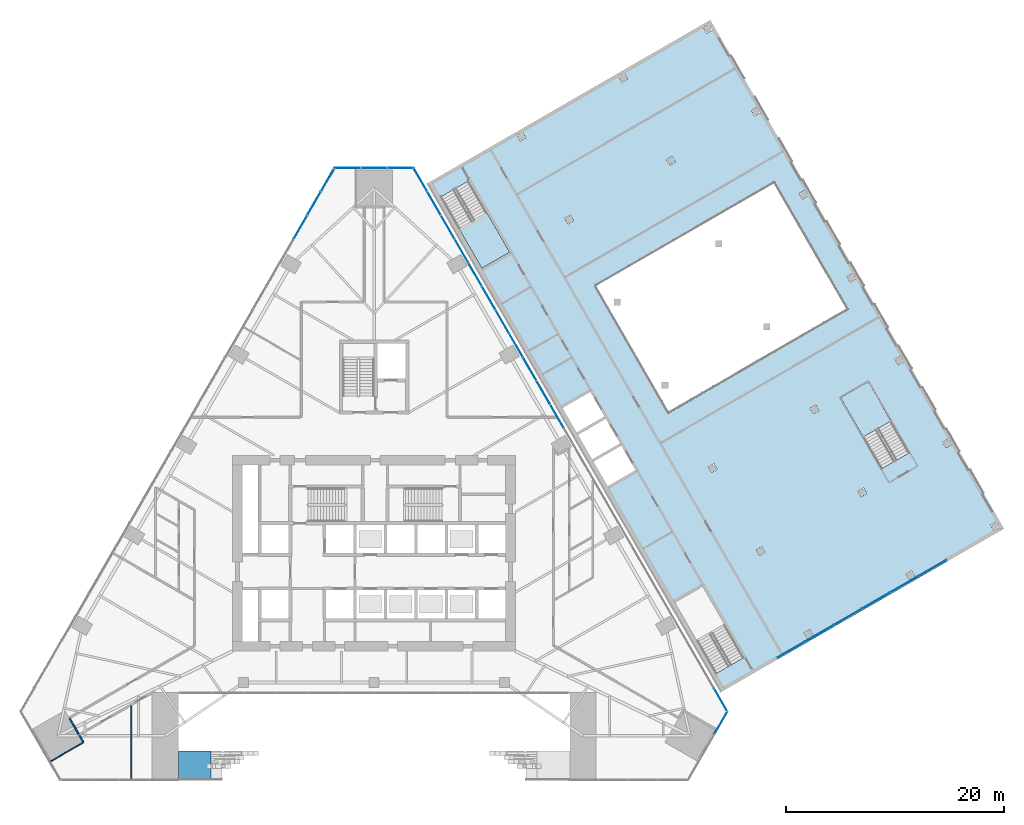
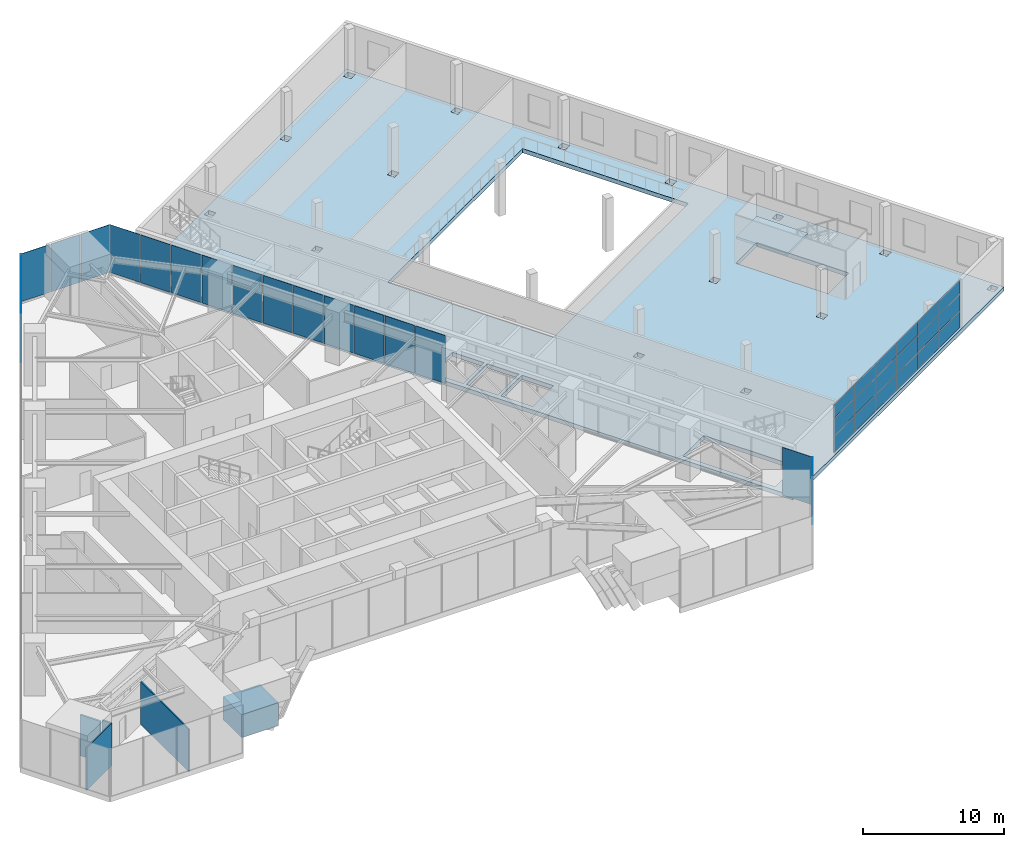
# One storey, part 16 of 30: 37 plates, 5 walls, 3 slabs, 7 elements without a shape of their own.
"""IFC4 building model written with IfcOpenShell, lengths in metres."""

from ifc_helpers import new_model, si_unit, direction, frame, frame_2d, origin, origin_2d, place, context, subcontext, project, spatial, polyline, rectangle, outline, extrude, material, layer, layer_set, type_object, element, aggregate, save


model = new_model("IFC4")

# Units and contexts
model_context = context("Model", 3, precision=1e-05, world=origin(), true_north=direction((0.0, 1.0)))
body_context = subcontext(model_context, "Body", "Model", "MODEL_VIEW")
ifc_project = project(units=[si_unit("LENGTHUNIT", "METRE"), si_unit("AREAUNIT", "SQUARE_METRE"), si_unit("VOLUMEUNIT", "CUBIC_METRE"), si_unit("PLANEANGLEUNIT", "RADIAN"), si_unit("MASSUNIT", "GRAM", prefix="KILO")], contexts=[model_context])

# Site, building, storey
site_placement = place(None, origin())
site = spatial("IfcSite", under=ifc_project, at=site_placement, CompositionType="ELEMENT")
building_placement = place(site_placement, origin())
building = spatial("IfcBuilding", under=site, at=building_placement, Name="Firuza Gate Tower and Library", CompositionType="ELEMENT")
storey_placement = place(building_placement, frame((0.0, 0.0, 12.60009765625)))
storey = spatial("IfcBuildingStorey", under=building, at=storey_placement, Name="L02", CompositionType="ELEMENT", Elevation=12.60009765625)

# Curtain wall, plate
ifc_material_1 = material(Name="Aluminium 6063-T6", Category="aluminium")
ifc_layer_1 = layer(ifc_material_1, 0.14990234375)
ifc_layer_set_1 = layer_set([ifc_layer_1], Name="Stick curtain wall, podium")
curtain_wall_type_1 = type_object("IfcCurtainWallType", Name="Stick curtain wall, podium", PredefinedType="NOTDEFINED", material=ifc_layer_set_1)
placement_1 = place(storey_placement, origin())
curtain_wall_1 = element("IfcCurtainWall", 1, at=placement_1, inside=storey, type_object=curtain_wall_type_1, Name="CW5 L02 SE", PredefinedType="NOTDEFINED")
ifc_material_2 = material(Name="Fritted glass", Category="glass")
ifc_layer_2 = layer(ifc_material_2, 0.030029296875)
ifc_layer_set_2 = layer_set([ifc_layer_2], Name="Clear glass unit, podium")
plate_type_1 = type_object("IfcPlateType", Name="Clear glass unit, podium", PredefinedType="CURTAIN_PANEL", material=ifc_layer_set_2)
plate_1_placement = place(storey_placement, frame((106.30517578125, 58.37451171875, 0.14990234375), z_axis=(0.866047116916, -0.499962389866, 0.0), x_axis=(0.499962389866, 0.866047116916, 0.0)))
plate_1 = element("IfcPlate", 2, at=plate_1_placement, type_object=plate_type_1, Name="Glass unit", PredefinedType="CURTAIN_PANEL", context=body_context, shape_type="SweptSolid", body=[
    extrude(outline(polyline([(0.0, 0.0), (2.3488094905771977, 0.0), (2.3488094905771977, 4.149902343750001), (0.0, 4.149902343750001), (0.0, 0.0)])), origin(), (0.0, 0.0, -1.0), 0.030029296875),
])
aggregate(curtain_wall_1, [plate_1])

# Curtain wall, plates
curtain_wall_2 = element("IfcCurtainWall", 3, at=placement_1, inside=storey, type_object=curtain_wall_type_1, Name="CW5 L02 E", PredefinedType="NOTDEFINED")
plate_2_placement = place(storey_placement, frame((107.4794921875, 60.492919921875, 0.14990234375), z_axis=(0.866056658381, 0.499945861543, 0.0), x_axis=(-0.499945861543, 0.866056658381, 0.0)))
plate_2 = element("IfcPlate", 4, at=plate_2_placement, type_object=plate_type_1, Name="Glass unit", PredefinedType="CURTAIN_PANEL", context=body_context, shape_type="SweptSolid", body=[
    extrude(outline(polyline([(0.0, 0.0), (2.4279972710515545, 0.0), (2.4279972710515545, 4.14990234375), (0.0, 4.14990234375), (0.0, 0.0)])), origin(), (0.0, 0.0, -1.0), 0.030029296875),
])
plate_3_placement = place(storey_placement, frame((92.430908203125, 86.55810546875, 0.14990234375), z_axis=(0.866013120021, 0.500021275498, 0.0), x_axis=(-0.500021275498, 0.866013120021, 0.0)))
plate_3 = element("IfcPlate", 5, at=plate_3_placement, type_object=plate_type_1, Name="Glass unit", PredefinedType="CURTAIN_PANEL", context=body_context, shape_type="SweptSolid", body=[
    extrude(outline(polyline([(0.0, 0.0), (2.428119337352694, 0.0), (2.428119337352694, 4.149902343749999), (0.0, 4.149902343749999), (0.0, 0.0)])), origin(), (0.0, 0.0, -1.0), 0.030029296875),
])
plate_4_placement = place(storey_placement, frame((91.1767578125, 88.72998046875, 0.14990234375), z_axis=(0.866081787721, 0.499902327438, 0.0), x_axis=(-0.499902327438, 0.866081787721, 0.0)))
plate_4 = element("IfcPlate", 6, at=plate_4_placement, type_object=plate_type_1, Name="Glass unit", PredefinedType="CURTAIN_PANEL", context=body_context, shape_type="SweptSolid", body=[
    extrude(outline(polyline([(0.0, 0.0), (2.428208713733097, 0.0), (2.428208713733097, 4.14990234375), (0.0, 4.14990234375), (0.0, 0.0)])), origin(), (0.0, 0.0, -1.0), 0.030029296875),
])
plate_5_placement = place(storey_placement, frame((89.9228515625, 90.902099609375, 0.14990234375), z_axis=(0.866013120021, 0.500021275498, 0.0), x_axis=(-0.500021275498, 0.866013120021, 0.0)))
plate_5 = element("IfcPlate", 7, at=plate_5_placement, type_object=plate_type_1, Name="Glass unit", PredefinedType="CURTAIN_PANEL", context=body_context, shape_type="SweptSolid", body=[
    extrude(outline(polyline([(0.0, 0.0), (2.428119337352694, 0.0), (2.428119337352694, 4.149902343749999), (0.0, 4.149902343749999), (0.0, 0.0)])), origin(), (0.0, 0.0, -1.0), 0.030029296875),
])
plate_6_placement = place(storey_placement, frame((88.668701171875, 93.07421875, 0.14990234375), z_axis=(0.866013120021, 0.500021275498, 0.0), x_axis=(-0.500021275498, 0.866013120021, 0.0)))
plate_6 = element("IfcPlate", 8, at=plate_6_placement, type_object=plate_type_1, Name="Glass unit", PredefinedType="CURTAIN_PANEL", context=body_context, shape_type="SweptSolid", body=[
    extrude(outline(polyline([(0.0, 0.0), (2.428119337352694, 0.0), (2.428119337352694, 4.149902343749999), (0.0, 4.149902343749999), (0.0, 0.0)])), origin(), (0.0, 0.0, -1.0), 0.030029296875),
])
plate_7_placement = place(storey_placement, frame((87.414794921875, 95.246337890625, 0.14990234375), z_axis=(0.866013120021, 0.500021275498, 0.0), x_axis=(-0.500021275498, 0.866013120021, 0.0)))
plate_7 = element("IfcPlate", 9, at=plate_7_placement, type_object=plate_type_1, Name="Glass unit", PredefinedType="CURTAIN_PANEL", context=body_context, shape_type="SweptSolid", body=[
    extrude(outline(polyline([(0.0, 0.0), (2.428119337352694, 0.0), (2.428119337352694, 4.149902343749999), (0.0, 4.149902343749999), (0.0, 0.0)])), origin(), (0.0, 0.0, -1.0), 0.030029296875),
])
plate_8_placement = place(storey_placement, frame((86.16064453125, 97.41845703125, 0.14990234375), z_axis=(0.866013120021, 0.500021275498, 0.0), x_axis=(-0.500021275498, 0.866013120021, 0.0)))
plate_8 = element("IfcPlate", 10, at=plate_8_placement, type_object=plate_type_1, Name="Glass unit", PredefinedType="CURTAIN_PANEL", context=body_context, shape_type="SweptSolid", body=[
    extrude(outline(polyline([(0.0, 0.0), (2.428119337352694, 0.0), (2.428119337352694, 4.149902343749999), (0.0, 4.149902343749999), (0.0, 0.0)])), origin(), (0.0, 0.0, -1.0), 0.030029296875),
])
plate_9_placement = place(storey_placement, frame((84.906494140625, 99.590576171875, 0.14990234375), z_axis=(0.866056658381, 0.499945861543, 0.0), x_axis=(-0.499945861543, 0.866056658381, 0.0)))
plate_9 = element("IfcPlate", 11, at=plate_9_placement, type_object=plate_type_1, Name="Glass unit", PredefinedType="CURTAIN_PANEL", context=body_context, shape_type="SweptSolid", body=[
    extrude(outline(polyline([(0.0, 0.0), (2.4279972710515545, 0.0), (2.4279972710515545, 4.14990234375), (0.0, 4.14990234375), (0.0, 0.0)])), origin(), (0.0, 0.0, -1.0), 0.030029296875),
])
plate_10_placement = place(storey_placement, frame((83.652587890625, 101.7626953125, 0.14990234375), z_axis=(0.866013120021, 0.500021275498, 0.0), x_axis=(-0.500021275498, 0.866013120021, 0.0)))
plate_10 = element("IfcPlate", 12, at=plate_10_placement, type_object=plate_type_1, Name="Glass unit", PredefinedType="CURTAIN_PANEL", context=body_context, shape_type="SweptSolid", body=[
    extrude(outline(polyline([(0.0, 0.0), (2.428119337352694, 0.0), (2.428119337352694, 4.149902343749999), (0.0, 4.149902343749999), (0.0, 0.0)])), origin(), (0.0, 0.0, -1.0), 0.030029296875),
])
plate_11_placement = place(storey_placement, frame((82.3984375, 103.934814453125, 0.14990234375), z_axis=(0.866013120021, 0.500021275498, 0.0), x_axis=(-0.500021275498, 0.866013120021, 0.0)))
plate_11 = element("IfcPlate", 13, at=plate_11_placement, type_object=plate_type_1, Name="Glass unit", PredefinedType="CURTAIN_PANEL", context=body_context, shape_type="SweptSolid", body=[
    extrude(outline(polyline([(0.0, 0.0), (2.428119337352694, 0.0), (2.428119337352694, 4.149902343749999), (0.0, 4.149902343749999), (0.0, 0.0)])), origin(), (0.0, 0.0, -1.0), 0.030029296875),
])
plate_12_placement = place(storey_placement, frame((81.144287109375, 106.106689453125, 0.14990234375), z_axis=(0.866081787721, 0.499902327438, 0.0), x_axis=(-0.499902327438, 0.866081787721, 0.0)))
plate_12 = element("IfcPlate", 14, at=plate_12_placement, type_object=plate_type_1, Name="Glass unit", PredefinedType="CURTAIN_PANEL", context=body_context, shape_type="SweptSolid", body=[
    extrude(outline(polyline([(0.0, 0.0), (2.428208713733097, 0.0), (2.428208713733097, 4.14990234375), (0.0, 4.14990234375), (0.0, 0.0)])), origin(), (0.0, 0.0, -1.0), 0.030029296875),
])
plate_13_placement = place(storey_placement, frame((79.890380859375, 108.27880859375, 0.14990234375), z_axis=(0.866013120021, 0.500021275498, 0.0), x_axis=(-0.500021275498, 0.866013120021, 0.0)))
plate_13 = element("IfcPlate", 15, at=plate_13_placement, type_object=plate_type_1, Name="Glass unit", PredefinedType="CURTAIN_PANEL", context=body_context, shape_type="SweptSolid", body=[
    extrude(outline(polyline([(0.0, 0.0), (2.428119337352694, 0.0), (2.428119337352694, 4.149902343749999), (0.0, 4.149902343749999), (0.0, 0.0)])), origin(), (0.0, 0.0, -1.0), 0.030029296875),
])
aggregate(curtain_wall_2, [plate_2, plate_3, plate_4, plate_5, plate_6, plate_7, plate_8, plate_9, plate_10, plate_11, plate_12, plate_13])

curtain_wall_3 = element("IfcCurtainWall", 16, at=placement_1, inside=storey, type_object=curtain_wall_type_1, Name="CW5 L02 N", PredefinedType="NOTDEFINED")
plate_14_placement = place(storey_placement, frame((78.603271484375, 110.423828125, 0.14990234375), z_axis=(0.0, 1.0, 0.0), x_axis=(-1.0, 0.0, 0.0)))
plate_14 = element("IfcPlate", 17, at=plate_14_placement, type_object=plate_type_1, Name="Glass unit", PredefinedType="CURTAIN_PANEL", context=body_context, shape_type="SweptSolid", body=[
    extrude(outline(polyline([(0.0, 0.0), (2.348876953125, 0.0), (2.348876953125, 4.14990234375), (0.0, 4.14990234375), (0.0, 0.0)])), origin(), (0.0, 0.0, -1.0), 0.030029296875),
])
plate_15_placement = place(storey_placement, frame((76.17431640625, 110.423828125, 0.14990234375), z_axis=(0.0, 1.0, 0.0), x_axis=(-1.0, 0.0, 0.0)))
plate_15 = element("IfcPlate", 18, at=plate_15_placement, type_object=plate_type_1, Name="Glass unit", PredefinedType="CURTAIN_PANEL", context=body_context, shape_type="SweptSolid", body=[
    extrude(outline(polyline([(0.0, 0.0), (2.3486328125, 0.0), (2.3486328125, 4.14990234375), (0.0, 4.14990234375), (0.0, 0.0)])), origin(), (0.0, 0.0, -1.0), 0.030029296875),
])
plate_16_placement = place(storey_placement, frame((73.74560546875, 110.423828125, 0.14990234375), z_axis=(0.0, 1.0, 0.0), x_axis=(-1.0, 0.0, 0.0)))
plate_16 = element("IfcPlate", 19, at=plate_16_placement, type_object=plate_type_1, Name="Glass unit", PredefinedType="CURTAIN_PANEL", context=body_context, shape_type="SweptSolid", body=[
    extrude(outline(polyline([(0.0, 0.0), (2.348876953125, 0.0), (2.348876953125, 4.14990234375), (0.0, 4.14990234375), (0.0, 0.0)])), origin(), (0.0, 0.0, -1.0), 0.030029296875),
])
aggregate(curtain_wall_3, [plate_14, plate_15, plate_16])

curtain_wall_4 = element("IfcCurtainWall", 20, at=placement_1, inside=storey, type_object=curtain_wall_type_1, Name="CW5 L02 W", PredefinedType="NOTDEFINED")
plate_17_placement = place(storey_placement, frame((71.32373046875, 110.381591796875, 0.14990234375), z_axis=(-0.866013120021, 0.500021275498, 0.0), x_axis=(-0.500021275498, -0.866013120021, 0.0)))
plate_17 = element("IfcPlate", 21, at=plate_17_placement, type_object=plate_type_1, Name="Glass unit", PredefinedType="CURTAIN_PANEL", context=body_context, shape_type="SweptSolid", body=[
    extrude(outline(polyline([(0.0, 0.0), (2.428119337352694, 0.0), (2.428119337352694, 4.149902343749999), (0.0, 4.149902343749999), (0.0, 0.0)])), origin(), (0.0, 0.0, -1.0), 0.030029296875),
])
plate_18_placement = place(storey_placement, frame((70.069580078125, 108.209716796875, 0.14990234375), z_axis=(-0.866081787721, 0.499902327438, 0.0), x_axis=(-0.499902327438, -0.866081787721, 0.0)))
plate_18 = element("IfcPlate", 22, at=plate_18_placement, type_object=plate_type_1, Name="Glass unit", PredefinedType="CURTAIN_PANEL", context=body_context, shape_type="SweptSolid", body=[
    extrude(outline(polyline([(0.0, 0.0), (2.428208713733097, 0.0), (2.428208713733097, 4.14990234375), (0.0, 4.14990234375), (0.0, 0.0)])), origin(), (0.0, 0.0, -1.0), 0.030029296875),
])
plate_19_placement = place(storey_placement, frame((68.815673828125, 106.03759765625, 0.14990234375), z_axis=(-0.866013120021, 0.500021275498, 0.0), x_axis=(-0.500021275498, -0.866013120021, 0.0)))
plate_19 = element("IfcPlate", 23, at=plate_19_placement, type_object=plate_type_1, Name="Glass unit", PredefinedType="CURTAIN_PANEL", context=body_context, shape_type="SweptSolid", body=[
    extrude(outline(polyline([(0.0, 0.0), (2.428119337352694, 0.0), (2.428119337352694, 4.149902343749999), (0.0, 4.149902343749999), (0.0, 0.0)])), origin(), (0.0, 0.0, -1.0), 0.030029296875),
])
aggregate(curtain_wall_4, [plate_17, plate_18, plate_19])

ifc_material_3 = material(Name="Aluminium", Category="aluminium")
curtain_wall_type_2 = type_object("IfcCurtainWallType", Name="LIB CURTAIN WALL", PredefinedType="NOTDEFINED", material=ifc_material_3)
curtain_wall_5 = element("IfcCurtainWall", 24, at=placement_1, inside=storey, type_object=curtain_wall_type_2, Name="L02 south curtain wall", PredefinedType="NOTDEFINED")
ifc_material_4 = material(Name="Ceramic-fritted glass", Category="glass")
ifc_layer_3 = layer(ifc_material_4, 0.028076171875)
ifc_layer_set_3 = layer_set([ifc_layer_3], Name="LIB CW PANEL 28")
plate_type_2 = type_object("IfcPlateType", Name="LIB CW PANEL 28", PredefinedType="CURTAIN_PANEL", material=ifc_layer_set_3)
plate_20_placement = place(storey_placement, frame((113.3662109375, 66.14697265625, 0.06005859375), z_axis=(0.0, 0.0, 1.0), x_axis=(0.866024608393, 0.500001377656, 0.0)))
plate_20 = element("IfcPlate", 25, at=plate_20_placement, type_object=plate_type_2, Name="LIB-CW panel 1.1", PredefinedType="CURTAIN_PANEL", context=body_context, shape_type="SweptSolid", body=[
    extrude(rectangle(XDim=2.909912109375, YDim=0.028076171875, at=origin_2d()), origin(), (0.0, 0.0, 1.0), 1.409912109375),
])
plate_21_placement = place(storey_placement, frame((113.3662109375, 66.14697265625, 1.530029296875), z_axis=(0.0, 0.0, 1.0), x_axis=(0.866024608393, 0.500001377656, 0.0)))
plate_21 = element("IfcPlate", 26, at=plate_21_placement, type_object=plate_type_2, Name="LIB-CW panel 1.2", PredefinedType="CURTAIN_PANEL", context=body_context, shape_type="SweptSolid", body=[
    extrude(rectangle(XDim=2.909912109375, YDim=0.028076171875, at=origin_2d()), origin(), (0.0, 0.0, 1.0), 1.43994140625),
])
plate_22_placement = place(storey_placement, frame((113.3662109375, 66.14697265625, 3.030029296875), z_axis=(0.0, 0.0, 1.0), x_axis=(0.866024608393, 0.500001377656, 0.0)))
plate_22 = element("IfcPlate", 27, at=plate_22_placement, type_object=plate_type_2, Name="LIB-CW panel 1.3", PredefinedType="CURTAIN_PANEL", context=body_context, shape_type="SweptSolid", body=[
    extrude(rectangle(XDim=2.909912109375, YDim=0.028076171875, at=origin_2d()), origin(), (0.0, 0.0, 1.0), 1.14990234375),
])
plate_23_placement = place(storey_placement, frame((115.951416015625, 67.639404296875, 0.06005859375), z_axis=(0.0, 0.0, 1.0), x_axis=(0.866024608393, 0.500001377656, 0.0)))
plate_23 = element("IfcPlate", 28, at=plate_23_placement, type_object=plate_type_2, Name="LIB-CW panel 2.1", PredefinedType="CURTAIN_PANEL", context=body_context, shape_type="SweptSolid", body=[
    extrude(rectangle(XDim=2.93994140625, YDim=0.028076171875, at=origin_2d()), origin(), (0.0, 0.0, 1.0), 1.409912109375),
])
plate_24_placement = place(storey_placement, frame((115.951416015625, 67.639404296875, 1.530029296875), z_axis=(0.0, 0.0, 1.0), x_axis=(0.866024608393, 0.500001377656, 0.0)))
plate_24 = element("IfcPlate", 29, at=plate_24_placement, type_object=plate_type_2, Name="LIB-CW panel 2.2", PredefinedType="CURTAIN_PANEL", context=body_context, shape_type="SweptSolid", body=[
    extrude(rectangle(XDim=2.93994140625, YDim=0.028076171875, at=origin_2d()), origin(), (0.0, 0.0, 1.0), 1.43994140625),
])
plate_25_placement = place(storey_placement, frame((115.951416015625, 67.639404296875, 3.030029296875), z_axis=(0.0, 0.0, 1.0), x_axis=(0.866024608393, 0.500001377656, 0.0)))
plate_25 = element("IfcPlate", 30, at=plate_25_placement, type_object=plate_type_2, Name="LIB-CW panel 2.3", PredefinedType="CURTAIN_PANEL", context=body_context, shape_type="SweptSolid", body=[
    extrude(rectangle(XDim=2.93994140625, YDim=0.028076171875, at=origin_2d()), origin(), (0.0, 0.0, 1.0), 1.14990234375),
])
plate_26_placement = place(storey_placement, frame((118.54931640625, 69.139404296875, 0.06005859375), z_axis=(0.0, 0.0, 1.0), x_axis=(0.866024608393, 0.500001377656, 0.0)))
plate_26 = element("IfcPlate", 31, at=plate_26_placement, type_object=plate_type_2, Name="LIB-CW panel 3.1", PredefinedType="CURTAIN_PANEL", context=body_context, shape_type="SweptSolid", body=[
    extrude(rectangle(XDim=2.93994140625, YDim=0.028076171875, at=origin_2d()), origin(), (0.0, 0.0, 1.0), 1.409912109375),
])
plate_27_placement = place(storey_placement, frame((118.54931640625, 69.139404296875, 1.530029296875), z_axis=(0.0, 0.0, 1.0), x_axis=(0.866024608393, 0.500001377656, 0.0)))
plate_27 = element("IfcPlate", 32, at=plate_27_placement, type_object=plate_type_2, Name="LIB-CW panel 3.2", PredefinedType="CURTAIN_PANEL", context=body_context, shape_type="SweptSolid", body=[
    extrude(rectangle(XDim=2.93994140625, YDim=0.028076171875, at=origin_2d()), origin(), (0.0, 0.0, 1.0), 1.43994140625),
])
plate_28_placement = place(storey_placement, frame((118.54931640625, 69.139404296875, 3.030029296875), z_axis=(0.0, 0.0, 1.0), x_axis=(0.866024608393, 0.500001377656, 0.0)))
plate_28 = element("IfcPlate", 33, at=plate_28_placement, type_object=plate_type_2, Name="LIB-CW panel 3.3", PredefinedType="CURTAIN_PANEL", context=body_context, shape_type="SweptSolid", body=[
    extrude(rectangle(XDim=2.93994140625, YDim=0.028076171875, at=origin_2d()), origin(), (0.0, 0.0, 1.0), 1.14990234375),
])
plate_29_placement = place(storey_placement, frame((121.1474609375, 70.639404296875, 0.06005859375), z_axis=(0.0, 0.0, 1.0), x_axis=(0.866024608393, 0.500001377656, 0.0)))
plate_29 = element("IfcPlate", 34, at=plate_29_placement, type_object=plate_type_2, Name="LIB-CW panel 4.1", PredefinedType="CURTAIN_PANEL", context=body_context, shape_type="SweptSolid", body=[
    extrude(rectangle(XDim=2.93994140625, YDim=0.028076171875, at=origin_2d()), origin(), (0.0, 0.0, 1.0), 1.409912109375),
])
plate_30_placement = place(storey_placement, frame((121.1474609375, 70.639404296875, 1.530029296875), z_axis=(0.0, 0.0, 1.0), x_axis=(0.866024608393, 0.500001377656, 0.0)))
plate_30 = element("IfcPlate", 35, at=plate_30_placement, type_object=plate_type_2, Name="LIB-CW panel 4.2", PredefinedType="CURTAIN_PANEL", context=body_context, shape_type="SweptSolid", body=[
    extrude(rectangle(XDim=2.93994140625, YDim=0.028076171875, at=origin_2d()), origin(), (0.0, 0.0, 1.0), 1.43994140625),
])
plate_31_placement = place(storey_placement, frame((121.1474609375, 70.639404296875, 3.030029296875), z_axis=(0.0, 0.0, 1.0), x_axis=(0.866024608393, 0.500001377656, 0.0)))
plate_31 = element("IfcPlate", 36, at=plate_31_placement, type_object=plate_type_2, Name="LIB-CW panel 4.3", PredefinedType="CURTAIN_PANEL", context=body_context, shape_type="SweptSolid", body=[
    extrude(rectangle(XDim=2.93994140625, YDim=0.028076171875, at=origin_2d()), origin(), (0.0, 0.0, 1.0), 1.14990234375),
])
plate_32_placement = place(storey_placement, frame((123.74560546875, 72.139404296875, 0.06005859375), z_axis=(0.0, 0.0, 1.0), x_axis=(0.866024608393, 0.500001377656, 0.0)))
plate_32 = element("IfcPlate", 37, at=plate_32_placement, type_object=plate_type_2, Name="LIB-CW panel 5.1", PredefinedType="CURTAIN_PANEL", context=body_context, shape_type="SweptSolid", body=[
    extrude(rectangle(XDim=2.93994140625, YDim=0.028076171875, at=origin_2d()), origin(), (0.0, 0.0, 1.0), 1.409912109375),
])
plate_33_placement = place(storey_placement, frame((123.74560546875, 72.139404296875, 1.530029296875), z_axis=(0.0, 0.0, 1.0), x_axis=(0.866024608393, 0.500001377656, 0.0)))
plate_33 = element("IfcPlate", 38, at=plate_33_placement, type_object=plate_type_2, Name="LIB-CW panel 5.2", PredefinedType="CURTAIN_PANEL", context=body_context, shape_type="SweptSolid", body=[
    extrude(rectangle(XDim=2.93994140625, YDim=0.028076171875, at=origin_2d()), origin(), (0.0, 0.0, 1.0), 1.43994140625),
])
plate_34_placement = place(storey_placement, frame((123.74560546875, 72.139404296875, 3.030029296875), z_axis=(0.0, 0.0, 1.0), x_axis=(0.866024608393, 0.500001377656, 0.0)))
plate_34 = element("IfcPlate", 39, at=plate_34_placement, type_object=plate_type_2, Name="LIB-CW panel 5.3", PredefinedType="CURTAIN_PANEL", context=body_context, shape_type="SweptSolid", body=[
    extrude(rectangle(XDim=2.93994140625, YDim=0.028076171875, at=origin_2d()), origin(), (0.0, 0.0, 1.0), 1.14990234375),
])
plate_35_placement = place(storey_placement, frame((126.33056640625, 73.632080078125, 0.06005859375), z_axis=(0.0, 0.0, 1.0), x_axis=(0.866024608393, 0.500001377656, 0.0)))
plate_35 = element("IfcPlate", 40, at=plate_35_placement, type_object=plate_type_2, Name="LIB-CW panel 6.1", PredefinedType="CURTAIN_PANEL", context=body_context, shape_type="SweptSolid", body=[
    extrude(rectangle(XDim=2.909912109375, YDim=0.028076171875, at=origin_2d()), origin(), (0.0, 0.0, 1.0), 1.409912109375),
])
plate_36_placement = place(storey_placement, frame((126.33056640625, 73.632080078125, 1.530029296875), z_axis=(0.0, 0.0, 1.0), x_axis=(0.866024608393, 0.500001377656, 0.0)))
plate_36 = element("IfcPlate", 41, at=plate_36_placement, type_object=plate_type_2, Name="LIB-CW panel 6.2", PredefinedType="CURTAIN_PANEL", context=body_context, shape_type="SweptSolid", body=[
    extrude(rectangle(XDim=2.909912109375, YDim=0.028076171875, at=origin_2d()), origin(), (0.0, 0.0, 1.0), 1.43994140625),
])
plate_37_placement = place(storey_placement, frame((126.33056640625, 73.632080078125, 3.030029296875), z_axis=(0.0, 0.0, 1.0), x_axis=(0.866024608393, 0.500001377656, 0.0)))
plate_37 = element("IfcPlate", 42, at=plate_37_placement, type_object=plate_type_2, Name="LIB-CW panel 6.3", PredefinedType="CURTAIN_PANEL", context=body_context, shape_type="SweptSolid", body=[
    extrude(rectangle(XDim=2.909912109375, YDim=0.028076171875, at=origin_2d()), origin(), (0.0, 0.0, 1.0), 1.14990234375),
])
aggregate(curtain_wall_5, [plate_20, plate_21, plate_22, plate_23, plate_24, plate_25, plate_26, plate_27, plate_28, plate_29, plate_30, plate_31, plate_32, plate_33, plate_34, plate_35, plate_36, plate_37])

# Slab
ifc_material_5 = material(Name="Concrete C40/50", Category="concrete")
ifc_layer_4 = layer(ifc_material_5, 0.360107421875)
ifc_layer_set_4 = layer_set([ifc_layer_4], Name="LIB FLAT SLAB 360")
slab_type_1 = type_object("IfcSlabType", Name="LIB FLAT SLAB 360", PredefinedType="FLOOR", material=ifc_layer_set_4)
slab_1_placement = place(storey_placement, frame((0.0, 0.0, -0.360107421875)))
element("IfcSlab", 43, at=slab_1_placement, inside=storey, type_object=slab_type_1, Name="Library floor slab L02", PredefinedType="FLOOR", context=body_context, shape_type="SweptSolid", body=[
    extrude(outline(polyline([(106.93310546875, 62.259521484375), (132.913818359375, 77.259521484375), (105.913818359375, 124.02490234375), (79.93310546875, 109.02490234375), (106.93310546875, 62.259521484375)]), holes=[polyline([(108.98388671875, 65.4072265625), (105.2041015625, 71.9541015625), (102.6494140625, 70.47900390625), (106.42919921875, 63.932373046875), (108.98388671875, 65.4072265625)]), polyline([(96.4794921875, 81.165771484375), (99.0341796875, 82.640869140625), (97.734130859375, 84.892333984375), (95.179443359375, 83.41748046875), (96.4794921875, 81.165771484375)]), polyline([(95.054443359375, 83.6337890625), (97.609130859375, 85.10888671875), (96.30908203125, 87.360595703125), (93.75439453125, 85.885498046875), (95.054443359375, 83.6337890625)]), polyline([(114.8369140625, 67.16943359375), (115.356689453125, 67.469482421875), (115.056640625, 67.989013671875), (114.537109375, 67.68896484375), (114.8369140625, 67.16943359375)]), polyline([(110.43701171875, 74.79052734375), (110.956787109375, 75.090576171875), (110.65673828125, 75.610107421875), (110.136962890625, 75.31005859375), (110.43701171875, 74.79052734375)]), polyline([(106.037109375, 82.41162109375), (106.556640625, 82.71142578125), (106.256591796875, 83.231201171875), (105.737060546875, 82.93115234375), (106.037109375, 82.41162109375)]), polyline([(124.190185546875, 72.5693359375), (124.709716796875, 72.869384765625), (124.40966796875, 73.388916015625), (123.89013671875, 73.089111328125), (124.190185546875, 72.5693359375)]), polyline([(119.489990234375, 80.710205078125), (119.7900390625, 80.1904296875), (120.309814453125, 80.490478515625), (120.009765625, 81.010009765625), (119.489990234375, 80.710205078125)]), polyline([(115.39013671875, 87.8115234375), (115.90966796875, 88.111572265625), (115.609619140625, 88.631103515625), (115.090087890625, 88.3310546875), (115.39013671875, 87.8115234375)]), polyline([(120.426513671875, 90.788330078125), (117.87158203125, 89.3134765625), (121.6513671875, 82.7666015625), (124.2060546875, 84.24169921875), (120.426513671875, 90.788330078125)]), polyline([(131.984375, 77.0693359375), (132.50390625, 77.369384765625), (132.2041015625, 77.888916015625), (131.684326171875, 77.589111328125), (131.984375, 77.0693359375)]), polyline([(127.58447265625, 84.6904296875), (128.10400390625, 84.990478515625), (127.803955078125, 85.510009765625), (127.284423828125, 85.210205078125), (127.58447265625, 84.6904296875)]), polyline([(123.184326171875, 92.3115234375), (123.7041015625, 92.611572265625), (123.404052734375, 93.131103515625), (122.884521484375, 92.8310546875), (123.184326171875, 92.3115234375)]), polyline([(118.784423828125, 99.9326171875), (119.303955078125, 100.232421875), (119.00390625, 100.752197265625), (118.484375, 100.4521484375), (118.784423828125, 99.9326171875)]), polyline([(81.129638671875, 107.752197265625), (84.909423828125, 101.20556640625), (87.464111328125, 102.6806640625), (83.684326171875, 109.227294921875), (81.129638671875, 107.752197265625)]), polyline([(93.62939453125, 86.10205078125), (96.18408203125, 87.5771484375), (94.88427734375, 89.828857421875), (92.329345703125, 88.353759765625), (93.62939453125, 86.10205078125)]), polyline([(92.8369140625, 105.2744140625), (93.356689453125, 105.574462890625), (93.056640625, 106.09423828125), (92.537109375, 105.794189453125), (92.8369140625, 105.2744140625)]), polyline([(88.43701171875, 112.8955078125), (88.956787109375, 113.195556640625), (88.65673828125, 113.715087890625), (88.136962890625, 113.415283203125), (88.43701171875, 112.8955078125)]), polyline([(102.03759765625, 87.8388671875), (118.621826171875, 97.413818359375), (111.822021484375, 109.19189453125), (95.237548828125, 99.61669921875), (102.03759765625, 87.8388671875)]), polyline([(102.190185546875, 110.674560546875), (102.709716796875, 110.974609375), (102.40966796875, 111.494140625), (101.89013671875, 111.194091796875), (102.190185546875, 110.674560546875)]), polyline([(97.7900390625, 118.295654296875), (98.309814453125, 118.595703125), (98.009765625, 119.115234375), (97.489990234375, 118.815185546875), (97.7900390625, 118.295654296875)]), polyline([(114.384521484375, 107.553466796875), (114.904052734375, 107.853515625), (114.60400390625, 108.373046875), (114.08447265625, 108.072998046875), (114.384521484375, 107.553466796875)]), polyline([(109.984375, 115.174560546875), (110.50390625, 115.474609375), (110.2041015625, 115.994140625), (109.684326171875, 115.694091796875), (109.984375, 115.174560546875)]), polyline([(105.58447265625, 122.795654296875), (106.10400390625, 123.095703125), (105.803955078125, 123.615234375), (105.284423828125, 123.315185546875), (105.58447265625, 122.795654296875)])]), origin(), (0.0, 0.0, 1.0), 0.360107421875),
])

# Stair, slab
ifc_material_6 = material(Name="Concrete C40/50", Category="concrete")
stair_type = type_object("IfcStairType", Name="LIB STAIR", PredefinedType="HALF_TURN_STAIR", material=ifc_material_6)
stair_1 = element("IfcStair", 44, at=placement_1, inside=storey, type_object=stair_type, Name="L02 Exit stair A", PredefinedType="HALF_TURN_STAIR")
ifc_material_7 = material(Name="Concrete C40/50", Category="concrete")
ifc_layer_5 = layer(ifc_material_7, 0.199951171875)
ifc_layer_set_5 = layer_set([ifc_layer_5], Name="LIB STAIR LANDING")
slab_type_2 = type_object("IfcSlabType", Name="LIB STAIR LANDING", PredefinedType="LANDING", material=ifc_layer_set_5)
placement_2 = place(storey_placement, frame((0.0, 0.0, 2.099853515625)))
slab_2 = element("IfcSlab", 45, at=placement_2, type_object=slab_type_2, Name="LIB-ST-A landing 1", PredefinedType="LANDING", context=body_context, shape_type="SweptSolid", body=[
    extrude(outline(polyline([(82.80908203125, 104.84326171875), (84.909423828125, 101.20556640625), (87.464111328125, 102.6806640625), (85.364013671875, 106.318359375), (82.80908203125, 104.84326171875)])), origin(), (0.0, 0.0, 1.0), 0.199951171875),
])
aggregate(stair_1, [slab_2])

stair_2 = element("IfcStair", 46, at=placement_1, inside=storey, type_object=stair_type, Name="L02 Feature stair", PredefinedType="HALF_TURN_STAIR")
slab_3 = element("IfcSlab", 47, at=placement_2, type_object=slab_type_2, Name="LIB-ST-C landing 1", PredefinedType="LANDING", context=body_context, shape_type="SweptSolid", body=[
    extrude(outline(polyline([(122.526611328125, 87.150634765625), (120.426513671875, 90.788330078125), (117.87158203125, 89.3134765625), (119.971923828125, 85.675537109375), (122.526611328125, 87.150634765625)])), origin(), (0.0, 0.0, 1.0), 0.199951171875),
])
aggregate(stair_2, [slab_3])

# Walls
ifc_material_8 = material(Name="Gypsum board partition")
ifc_layer_6 = layer(ifc_material_8, 0.14990234375)
ifc_layer_set_6 = layer_set([ifc_layer_6], Name="Corridor wall 150 double board on steel studs")
wall_type_1 = type_object("IfcWallType", Name="Corridor wall 150 double board on steel studs", PredefinedType="PARTITIONING", material=ifc_layer_set_6)
wall_1_placement = place(storey_placement, frame((48.255859375, 57.654541015625, 0.0), z_axis=(0.0, 0.0, 1.0), x_axis=(-0.500108776725, 0.865962592404, 0.0)))
element("IfcWall", 48, at=wall_1_placement, inside=storey, type_object=wall_type_1, Name="f:L02:w026", PredefinedType="PARTITIONING", context=body_context, shape_type="SweptSolid", body=[
    extrude(rectangle(XDim=0.674560546875, YDim=0.14990234375, at=frame_2d((0.33740234375, 0.0))), origin(), (0.0, 0.0, 1.0), 3.699951171875),
])
wall_2_placement = place(storey_placement, frame((47.843505859375, 58.36865234375, 0.0), z_axis=(0.0, 0.0, 1.0), x_axis=(-0.499991515992, 0.866030301974, 0.0)))
element("IfcWall", 49, at=wall_2_placement, inside=storey, type_object=wall_type_1, Name="f:L02:w036", PredefinedType="PARTITIONING", context=body_context, shape_type="SweptSolid", body=[
    extrude(rectangle(XDim=1.6494140625, YDim=0.14990234375, at=frame_2d((0.82470703125, 0.0))), origin(), (0.0, 0.0, 1.0), 3.546875),
])
ifc_material_9 = material(Name="Gypsum board partition")
ifc_layer_7 = layer(ifc_material_9, 0.10009765625)
ifc_layer_set_7 = layer_set([ifc_layer_7], Name="Partition 100 gypsum board on steel studs")
wall_type_2 = type_object("IfcWallType", Name="Partition 100 gypsum board on steel studs", PredefinedType="PARTITIONING", material=ifc_layer_set_7)
wall_3_placement = place(storey_placement, frame((45.197998046875, 55.830810546875, 0.0), z_axis=(0.0, 0.0, 1.0), x_axis=(0.866014251095, 0.500019316528, 0.0)))
element("IfcWall", 50, at=wall_3_placement, inside=storey, type_object=wall_type_2, Name="f:L02:w008", PredefinedType="PARTITIONING", context=body_context, shape_type="SweptSolid", body=[
    extrude(rectangle(XDim=3.559326171875, YDim=0.10009765625, at=frame_2d((1.77978515625, 0.0))), origin(), (0.0, 0.0, 1.0), 3.699951171875),
])
wall_4_placement = place(storey_placement, frame((52.679931640625, 54.1552734375, 0.0), z_axis=(0.0, 0.0, 1.0), x_axis=(0.0, 1.0, 0.0)))
element("IfcWall", 51, at=wall_4_placement, inside=storey, type_object=wall_type_2, Name="f:L02:w024", PredefinedType="PARTITIONING", context=body_context, shape_type="SweptSolid", body=[
    extrude(rectangle(XDim=6.802490234375, YDim=0.10009765625, at=frame_2d((3.4013671875, 0.0))), origin(), (0.0, 0.0, 1.0), 3.699951171875),
])
ifc_material_10 = material(Name="Concrete C60/75", Category="concrete")
ifc_layer_8 = layer(ifc_material_10, 2.60009765625)
ifc_layer_set_8 = layer_set([ifc_layer_8], Name="Portal wall 2600 C60/75")
wall_type_3 = type_object("IfcWallType", Name="Portal wall 2600 C60/75", PredefinedType="SOLIDWALL", material=ifc_layer_set_8)
wall_5_placement = place(storey_placement, frame((57.0, 55.515380859375, 1.39990234375), z_axis=(0.0, 0.0, 1.0), x_axis=(1.0, 0.0, 0.0)))
element("IfcWall", 52, at=wall_5_placement, inside=storey, type_object=wall_type_3, Name="Portal wall course 8", PredefinedType="SOLIDWALL", context=body_context, shape_type="SweptSolid", body=[
    extrude(rectangle(XDim=3.03125, YDim=2.60009765625, at=frame_2d((1.515625, 0.0))), origin(), (0.0, 0.0, 1.0), 2.0),
])

save(model, "model.ifc")
